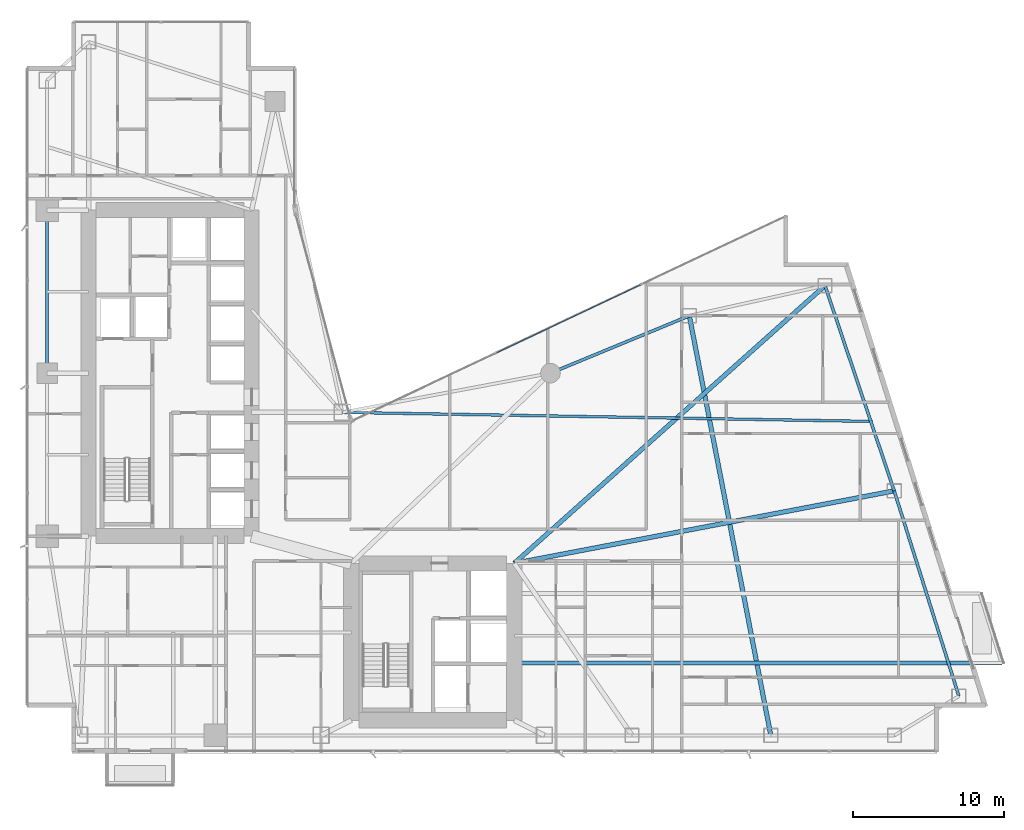
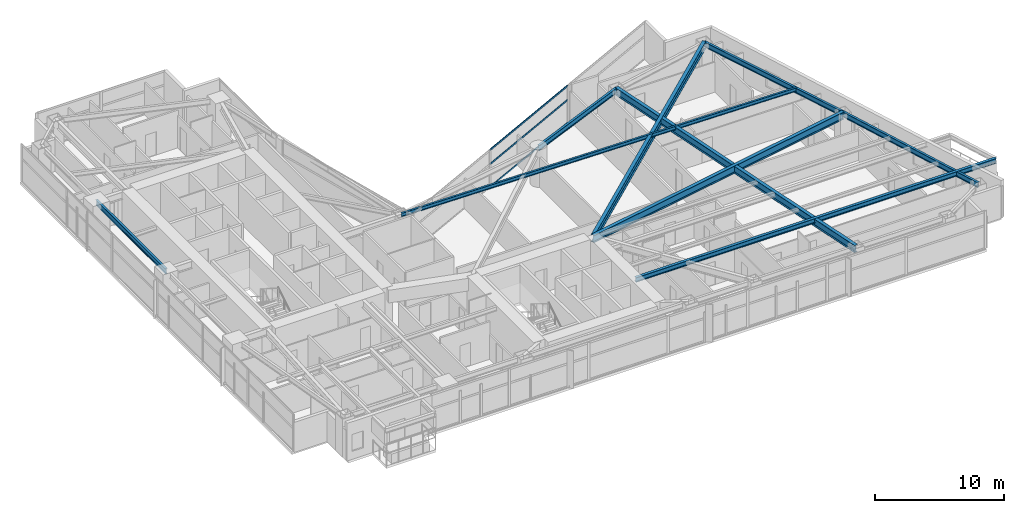
# One storey, part 15 of 30: 9 beams, 3 members, 1 element without a shape of its own.
"""IFC4 building model written with IfcOpenShell, lengths in metres."""

from ifc_helpers import new_model, si_unit, direction, frame, origin, origin_2d, place, context, subcontext, project, spatial, hollow_rectangle, i_section, extrude, material, layer, layer_set, material_profile, profile_set, type_object, element, aggregate, save


model = new_model("IFC4")

# Units and contexts
model_context = context("Model", 3, precision=1e-05, world=origin(), true_north=direction((0.0, 1.0)))
body_context = subcontext(model_context, "Body", "Model", "MODEL_VIEW")
ifc_project = project(units=[si_unit("LENGTHUNIT", "METRE"), si_unit("AREAUNIT", "SQUARE_METRE"), si_unit("VOLUMEUNIT", "CUBIC_METRE"), si_unit("PLANEANGLEUNIT", "RADIAN"), si_unit("MASSUNIT", "GRAM", prefix="KILO")], contexts=[model_context])

# Site, building, storey
site_placement = place(None, origin())
site = spatial("IfcSite", under=ifc_project, at=site_placement, CompositionType="ELEMENT")
building_placement = place(site_placement, origin())
building = spatial("IfcBuilding", under=site, at=building_placement, Name="Calvorn Quay Hotel", CompositionType="ELEMENT")
storey_placement = place(building_placement, frame((0.0, 0.0, 73.60009765625)))
storey = spatial("IfcBuildingStorey", under=building, at=storey_placement, Name="L17", CompositionType="ELEMENT", Elevation=73.60009765625)

# Beams
ifc_material_1 = material(Name="Steel Q355B", Category="steel")
ifc_material_profile_1 = material_profile(ifc_material_1, i_section(OverallWidth=0.25, OverallDepth=0.449951171875, WebThickness=0.011962890625, FlangeThickness=0.01611328125, FilletRadius=0.01611328125, at=origin_2d()), Name="HN450x250x12x16")
ifc_profile_set_1 = profile_set([ifc_material_profile_1], Name="Steel Q355B")
beam_type_1 = type_object("IfcBeamType", Name="BM-CANT-BALC", PredefinedType="BEAM", material=ifc_profile_set_1)
beam_1_placement = place(storey_placement, frame((32.39990234375, 8.39990234375, 3.31494140625), z_axis=(1.0, 0.0, 0.0), x_axis=(0.0, 1.0, 0.0)))
element("IfcBeam", 1, at=beam_1_placement, inside=storey, type_object=beam_type_1, Name="Cantilever Balcony Beam BCB-L18-1A", PredefinedType="BEAM", context=body_context, shape_type="SweptSolid", body=[
    extrude(i_section(OverallWidth=0.25, OverallDepth=0.449951171875, WebThickness=0.011962890625, FlangeThickness=0.01611328125, FilletRadius=0.01611328125, at=origin_2d()), origin(), (0.0, 0.0, 1.0), 32.30810546875),
])
ifc_material_2 = material(Name="Steel Q390GJC", Category="steel")
ifc_material_profile_2 = material_profile(ifc_material_2, i_section(OverallWidth=0.300048828125, OverallDepth=0.699951171875, WebThickness=0.012939453125, FlangeThickness=0.02392578125, FilletRadius=0.02392578125, at=origin_2d()), Name="HN700x300x13x24")
ifc_profile_set_2 = profile_set([ifc_material_profile_2], Name="Steel Q390GJC")
beam_type_2 = type_object("IfcBeamType", Name="BM-GIRD-MAIN", PredefinedType="BEAM", material=ifc_profile_set_2)
beam_2_placement = place(storey_placement, frame((32.39990234375, 15.0, 3.18994140625), z_axis=(0.982305450614, 0.18728588226, 0.0), x_axis=(-0.18728588226, 0.982305450614, 0.0)))
element("IfcBeam", 2, at=beam_2_placement, inside=storey, type_object=beam_type_2, Name="Beam BG-L17-E2", PredefinedType="BEAM", context=body_context, shape_type="SweptSolid", body=[
    extrude(i_section(OverallWidth=0.300048828125, OverallDepth=0.699951171875, WebThickness=0.012939453125, FlangeThickness=0.02392578125, FilletRadius=0.02392578125, at=origin_2d()), origin(), (0.0, 0.0, 1.0), 25.629638671875),
])
beam_3_placement = place(storey_placement, frame((32.39990234375, 15.0, 3.18994140625), z_axis=(0.745667316004, 0.666318432766, 0.0), x_axis=(-0.666318432766, 0.745667316004, 0.0)))
element("IfcBeam", 3, at=beam_3_placement, inside=storey, type_object=beam_type_2, Name="Beam BG-L17-E3", PredefinedType="BEAM", context=body_context, shape_type="SweptSolid", body=[
    extrude(i_section(OverallWidth=0.300048828125, OverallDepth=0.699951171875, WebThickness=0.012939453125, FlangeThickness=0.02392578125, FilletRadius=0.02392578125, at=origin_2d()), origin(), (0.0, 0.0, 1.0), 27.6142578125),
])
beam_4_placement = place(storey_placement, frame((49.39990234375, 3.60009765625, 3.18994140625), z_axis=(-0.190678596862, 0.981652521363, 0.0), x_axis=(-0.981652521363, -0.190678596862, 0.0)))
element("IfcBeam", 4, at=beam_4_placement, inside=storey, type_object=beam_type_2, Name="Beam BG-L17-E5", PredefinedType="BEAM", context=body_context, shape_type="SweptSolid", body=[
    extrude(i_section(OverallWidth=0.300048828125, OverallDepth=0.699951171875, WebThickness=0.012939453125, FlangeThickness=0.02392578125, FilletRadius=0.02392578125, at=origin_2d()), origin(), (0.0, 0.0, 1.0), 28.3193359375),
])
ifc_material_3 = material(Name="Steel Q355B", Category="steel")
ifc_material_profile_3 = material_profile(ifc_material_3, i_section(OverallWidth=0.175048828125, OverallDepth=0.35009765625, WebThickness=0.007080078125, FlangeThickness=0.010986328125, FilletRadius=0.013916015625, at=origin_2d()), Name="HN350x175x7x11")
ifc_profile_set_3 = profile_set([ifc_material_profile_3], Name="Steel Q355B")
beam_type_3 = type_object("IfcBeamType", Name="BM-JOIST-SEC", PredefinedType="JOIST", material=ifc_profile_set_3)
beam_5_placement = place(storey_placement, frame((21.0, 25.0, 3.364990234375), z_axis=(0.999854105858, -0.017081188436, 0.0), x_axis=(0.017081188436, 0.999854105858, 0.0)))
element("IfcBeam", 5, at=beam_5_placement, inside=storey, type_object=beam_type_3, Name="Beam BJ-L17-E3", PredefinedType="JOIST", context=body_context, shape_type="SweptSolid", body=[
    extrude(i_section(OverallWidth=0.175048828125, OverallDepth=0.35009765625, WebThickness=0.007080078125, FlangeThickness=0.010986328125, FilletRadius=0.013916015625, at=origin_2d()), origin(), (0.0, 0.0, 1.0), 35.132080078125),
])
ifc_material_4 = material(Name="Steel Q355B", Category="steel")
ifc_material_profile_4 = material_profile(ifc_material_4, i_section(OverallWidth=0.199951171875, OverallDepth=0.5, WebThickness=0.010009765625, FlangeThickness=0.01611328125, FilletRadius=0.01611328125, at=origin_2d()), Name="HN500x200x10x16")
ifc_profile_set_4 = profile_set([ifc_material_profile_4], Name="Steel Q355B")
beam_type_4 = type_object("IfcBeamType", Name="BM-SPANDREL-Z1", PredefinedType="SPANDREL", material=ifc_profile_set_4)
beam_6_placement = place(storey_placement, frame((1.449951171875, 27.60009765625, 3.289794921875), z_axis=(0.0, 1.0, 0.0), x_axis=(-1.0, 0.0, 0.0)))
element("IfcBeam", 6, at=beam_6_placement, inside=storey, type_object=beam_type_4, Name="Beam BSP-L17-W3", PredefinedType="SPANDREL", context=body_context, shape_type="SweptSolid", body=[
    extrude(i_section(OverallWidth=0.199951171875, OverallDepth=0.5, WebThickness=0.010009765625, FlangeThickness=0.01611328125, FilletRadius=0.01611328125, at=origin_2d()), origin(), (0.0, 0.0, 1.0), 10.7998046875),
])
beam_7_placement = place(storey_placement, frame((61.861083984375, 6.199951171875, 3.289794921875), z_axis=(-0.300518378216, 0.953776024208, 0.0), x_axis=(-0.953776024208, -0.300518378216, 0.0)))
element("IfcBeam", 7, at=beam_7_placement, inside=storey, type_object=beam_type_4, Name="Beam BSP-L17-E1", PredefinedType="SPANDREL", context=body_context, shape_type="SweptSolid", body=[
    extrude(i_section(OverallWidth=0.199951171875, OverallDepth=0.5, WebThickness=0.010009765625, FlangeThickness=0.01611328125, FilletRadius=0.01611328125, at=origin_2d()), origin(), (0.0, 0.0, 1.0), 14.25927734375),
])
beam_8_placement = place(storey_placement, frame((57.575927734375, 19.800048828125, 3.289794921875), z_axis=(-0.319466515944, 0.947597564998, 0.0), x_axis=(-0.947597564998, -0.319466515944, 0.0)))
element("IfcBeam", 8, at=beam_8_placement, inside=storey, type_object=beam_type_4, Name="Beam BSP-L17-E2", PredefinedType="SPANDREL", context=body_context, shape_type="SweptSolid", body=[
    extrude(i_section(OverallWidth=0.199951171875, OverallDepth=0.5, WebThickness=0.010009765625, FlangeThickness=0.01611328125, FilletRadius=0.01611328125, at=origin_2d()), origin(), (0.0, 0.0, 1.0), 14.35205078125),
])
beam_9_placement = place(storey_placement, frame((44.0, 31.39990234375, 3.289794921875), z_axis=(-0.92426763497, -0.381745123017, 0.0), x_axis=(0.381745123017, -0.92426763497, 0.0)))
element("IfcBeam", 9, at=beam_9_placement, inside=storey, type_object=beam_type_4, Name="Beam BSP-L17-E4", PredefinedType="SPANDREL", context=body_context, shape_type="SweptSolid", body=[
    extrude(i_section(OverallWidth=0.199951171875, OverallDepth=0.5, WebThickness=0.010009765625, FlangeThickness=0.01611328125, FilletRadius=0.01611328125, at=origin_2d()), origin(), (0.0, 0.0, 1.0), 9.953857421875),
])

# Curtain wall, members
ifc_material_5 = material(Name="Pale Anodised Aluminium and Low-E Glass", Category="aluminium")
ifc_layer = layer(ifc_material_5, 0.219970703125)
ifc_layer_set = layer_set([ifc_layer], Name="CW-SYS-Z1")
curtain_wall_type = type_object("IfcCurtainWallType", Name="CW-SYS-Z1", PredefinedType="NOTDEFINED", material=ifc_layer_set)
curtain_wall_placement = place(storey_placement, origin())
curtain_wall = element("IfcCurtainWall", 10, at=curtain_wall_placement, inside=storey, type_object=curtain_wall_type, Name="Inner Court Curtain Wall L17-NE1", PredefinedType="NOTDEFINED")
ifc_material_6 = material(Name="Pale Anodised Aluminium 6063-T6", Category="aluminium")
ifc_material_profile_5 = material_profile(ifc_material_6, hollow_rectangle(XDim=0.06494140625, YDim=0.1650390625, WallThickness=0.00341796875, at=origin_2d()), Name="ALU-T165x65x3.5")
ifc_profile_set_5 = profile_set([ifc_material_profile_5], Name="Pale Anodised Aluminium 6063-T6")
member_type = type_object("IfcMemberType", Name="CW-SYS-Z1-TRN", PredefinedType="USERDEFINED", material=ifc_profile_set_5)
member_1_placement = place(storey_placement, frame((40.77294921875, 33.453857421875, 0.02978515625), z_axis=(-0.904247654564, -0.427008406493, 0.0), x_axis=(0.427008406493, -0.904247654564, 0.0)))
member_1 = element("IfcMember", 11, at=member_1_placement, type_object=member_type, Name="CW-L17-NE1 transom 2.1", ObjectType="TRANSOM", PredefinedType="USERDEFINED", context=body_context, shape_type="SweptSolid", body=[
    extrude(hollow_rectangle(XDim=0.06494140625, YDim=0.1650390625, WallThickness=0.00341796875, at=origin_2d()), origin(), (0.0, 0.0, 1.0), 10.556640625),
])
member_2_placement = place(storey_placement, frame((40.77294921875, 33.453857421875, 2.199951171875), z_axis=(-0.904247654564, -0.427008406493, 0.0), x_axis=(0.427008406493, -0.904247654564, 0.0)))
member_2 = element("IfcMember", 12, at=member_2_placement, type_object=member_type, Name="CW-L17-NE1 transom 2.2", ObjectType="TRANSOM", PredefinedType="USERDEFINED", context=body_context, shape_type="SweptSolid", body=[
    extrude(hollow_rectangle(XDim=0.06494140625, YDim=0.1650390625, WallThickness=0.00341796875, at=origin_2d()), origin(), (0.0, 0.0, 1.0), 10.556640625),
])
member_3_placement = place(storey_placement, frame((40.77294921875, 33.453857421875, 3.52978515625), z_axis=(-0.904247654564, -0.427008406493, 0.0), x_axis=(0.427008406493, -0.904247654564, 0.0)))
member_3 = element("IfcMember", 13, at=member_3_placement, type_object=member_type, Name="CW-L17-NE1 transom 2.3", ObjectType="TRANSOM", PredefinedType="USERDEFINED", context=body_context, shape_type="SweptSolid", body=[
    extrude(hollow_rectangle(XDim=0.06494140625, YDim=0.1650390625, WallThickness=0.00341796875, at=origin_2d()), origin(), (0.0, 0.0, 1.0), 10.556640625),
])
aggregate(curtain_wall, [member_1, member_2, member_3])

save(model, "model.ifc")
